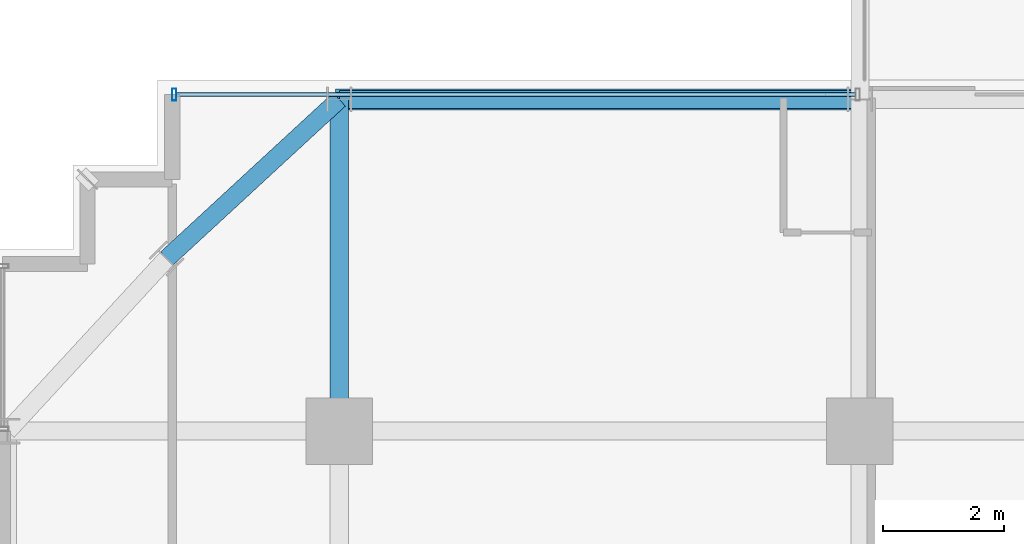
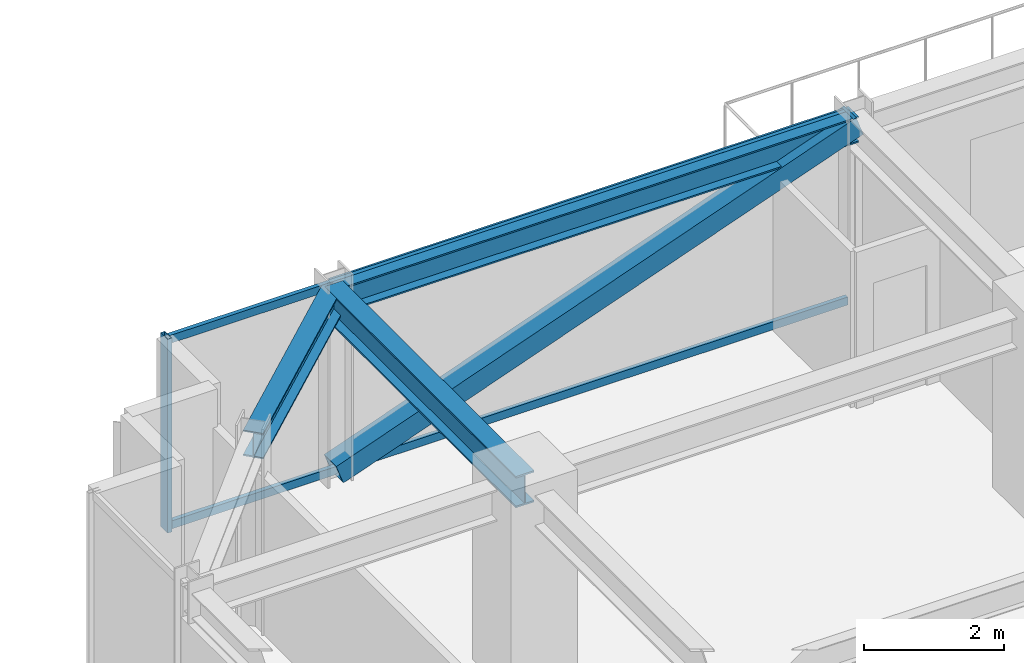
# One storey, part 24 of 43: 4 members, 3 beams, 1 element without a shape of its own.
"""IFC4 building model written with IfcOpenShell, lengths in metres."""

import ifcopenshell
import ifcopenshell.guid

model = None  # the IFC model being written
_history = None  # IfcOwnerHistory: only IFC2X3 demands one
_inside = {}  # id of a spatial element -> (the spatial element, [elements in it])
_under = {}  # id of a project, library or spatial element -> (it, [spatial elements below it])
_declared = {}  # id of a project -> (the project, [libraries it declares])
_typed = {}  # id of a type object -> (the type object, [elements of that type])
_made_of = {}  # id of a material, layer set ... -> (it, [elements and type objects made of it])


def new_model(schema):
    """Start an empty IFC model of exactly this schema.

    Asked for "IFC4X3", IfcOpenShell would pick the latest addendum, in which some entities
    have other attributes; the version numbers below select the first issue.
    IFC2X3 requires an IfcOwnerHistory on every rooted entity: one is made here for all.
    """
    global model, _history
    if schema == "IFC4X3":
        model = ifcopenshell.file(schema_version=(4, 3, 0, 0))
    else:
        model = ifcopenshell.file(schema=schema)
    _inside.clear()
    _under.clear()
    _declared.clear()
    _typed.clear()
    _made_of.clear()
    _history = None
    if model.schema == "IFC2X3":
        org = make("IfcOrganization", Name="unknown")
        user = make(
            "IfcPersonAndOrganization",
            ThePerson=make("IfcPerson", FamilyName="unknown"),
            TheOrganization=org,
        )
        app = make(
            "IfcApplication",
            ApplicationDeveloper=org,
            Version="unknown",
            ApplicationFullName="unknown",
            ApplicationIdentifier="unknown",
        )
        _history = make(
            "IfcOwnerHistory",
            OwningUser=user,
            OwningApplication=app,
            ChangeAction="ADDED",
            CreationDate=0,
        )
    return model


def make(cls, **values):
    """One entity of the class cls with the attributes given. An attribute that is None is left unset."""
    return model.create_entity(
        cls, **{name: value for name, value in values.items() if value is not None}
    )


def rooted(cls, **values):
    """An entity with a GlobalId (a new one), such as an element, a storey or a relation."""
    return make(cls, GlobalId=ifcopenshell.guid.new(), OwnerHistory=_history, **values)


def si_unit(unit_type, name, prefix=None):
    """IfcSIUnit, for example si_unit("LENGTHUNIT", "METRE", prefix="MILLI")."""
    return make("IfcSIUnit", UnitType=unit_type, Prefix=prefix, Name=name)


def assignment(units):
    """IfcUnitAssignment: the units of a project."""
    return None if units is None else make("IfcUnitAssignment", Units=units)


def point(xyz):
    """IfcCartesianPoint."""
    return None if xyz is None else make("IfcCartesianPoint", Coordinates=xyz)


def direction(xyz):
    """IfcDirection."""
    return None if xyz is None else make("IfcDirection", DirectionRatios=xyz)


def frame(location, z_axis=None, x_axis=None):
    """IfcAxis2Placement3D, a coordinate frame: its origin and axes. An axis left out is left unset."""
    return make(
        "IfcAxis2Placement3D",
        Location=point(location),
        Axis=direction(z_axis),
        RefDirection=direction(x_axis),
    )


def frame_2d(location, x_axis=None):
    """IfcAxis2Placement2D, a coordinate frame in the plane: its origin and x axis."""
    return make(
        "IfcAxis2Placement2D", Location=point(location), RefDirection=direction(x_axis)
    )


def origin():
    """The frame at (0, 0, 0) with its axes left unset."""
    return frame((0.0, 0.0, 0.0))


def origin_2d():
    """The frame at (0, 0) in the plane with its x axis left unset."""
    return frame_2d((0.0, 0.0))


def place(relative_to, where):
    """IfcLocalPlacement: puts the frame where relative to a parent placement (None: the world)."""
    return make(
        "IfcLocalPlacement", PlacementRelTo=relative_to, RelativePlacement=where
    )


def context(
    kind, dimensions, precision=None, world=None, true_north=None, identifier=None
):
    """IfcGeometricRepresentationContext, for example the 3D "Model" context."""
    return make(
        "IfcGeometricRepresentationContext",
        ContextIdentifier=identifier,
        ContextType=kind,
        CoordinateSpaceDimension=dimensions,
        Precision=precision,
        WorldCoordinateSystem=world,
        TrueNorth=true_north,
    )


def subcontext(parent, identifier, kind, view, scale=None):
    """IfcGeometricRepresentationSubContext, for example "Body" below "Model"."""
    return make(
        "IfcGeometricRepresentationSubContext",
        ContextIdentifier=identifier,
        ContextType=kind,
        ParentContext=parent,
        TargetScale=scale,
        TargetView=view,
    )


def project(units=None, contexts=None):
    """IfcProject with its units and contexts."""
    return rooted(
        "IfcProject",
        Name="project",
        RepresentationContexts=contexts,
        UnitsInContext=assignment(units),
    )


def spatial(cls, under=None, at=None, **own):
    """A site, building, storey or space (cls), placed at a placement, below another one or the project."""
    s = rooted(cls, ObjectPlacement=at, **own)
    if under is not None:
        _under.setdefault(under.id(), (under, []))[1].append(s)
    return s


def profile(cls, at=None, kind="AREA", **sizes):
    """A parametric profile (cls). Its sizes go by their IFC names, for example OverallWidth=200.0."""
    return make(cls, ProfileType=kind, Position=at, **sizes)


def hollow_rectangle(**sizes):
    """IfcRectangleHollowProfileDef."""
    return profile("IfcRectangleHollowProfileDef", **sizes)


def i_section(**sizes):
    """IfcIShapeProfileDef."""
    return profile("IfcIShapeProfileDef", **sizes)


def extrude(swept, where, along, depth):
    """IfcExtrudedAreaSolid: the profile swept, set in the frame where, extruded along a direction by depth."""
    return make(
        "IfcExtrudedAreaSolid",
        SweptArea=swept,
        Position=where,
        ExtrudedDirection=direction(along),
        Depth=depth,
    )


def shape(context_of_items, identifier, shape_type, items):
    """IfcShapeRepresentation: the items that make up one representation, for example the "Body"."""
    return make(
        "IfcShapeRepresentation",
        ContextOfItems=context_of_items,
        RepresentationIdentifier=identifier,
        RepresentationType=shape_type,
        Items=items,
    )


def source(mapping_origin, context_of_items, identifier, shape_type, items):
    """IfcRepresentationMap: a shape defined once, which mapped items show again and again."""
    return make(
        "IfcRepresentationMap",
        MappingOrigin=mapping_origin,
        MappedRepresentation=shape(context_of_items, identifier, shape_type, items),
    )


def transform(
    local_origin,
    x_axis=None,
    y_axis=None,
    z_axis=None,
    scale=None,
    scale2=None,
    scale3=None,
    uniform=True,
):
    """IfcCartesianTransformationOperator3D, or its non-uniform kind. x_axis, y_axis, z_axis: its Axis1, 2, 3."""
    if uniform:
        return make(
            "IfcCartesianTransformationOperator3D",
            Axis1=direction(x_axis),
            Axis2=direction(y_axis),
            LocalOrigin=point(local_origin),
            Scale=scale,
            Axis3=direction(z_axis),
        )
    return make(
        "IfcCartesianTransformationOperator3DnonUniform",
        Axis1=direction(x_axis),
        Axis2=direction(y_axis),
        LocalOrigin=point(local_origin),
        Scale=scale,
        Axis3=direction(z_axis),
        Scale2=scale2,
        Scale3=scale3,
    )


def mapped(mapping_source, mapping_target):
    """IfcMappedItem: shows the shape of a source again, moved by a transform."""
    return make(
        "IfcMappedItem", MappingSource=mapping_source, MappingTarget=mapping_target
    )


def material(Name=None, Category=None):
    """IfcMaterial."""
    return make("IfcMaterial", Name=Name, Category=Category)


def material_profile(
    of_material, cross_section, Name=None, Category=None, Priority=None
):
    """IfcMaterialProfile: a cross section and its material."""
    return make(
        "IfcMaterialProfile",
        Name=Name,
        Material=of_material,
        Profile=cross_section,
        Priority=Priority,
        Category=Category,
    )


def profile_set(profiles, Name=None, composite=None):
    """IfcMaterialProfileSet."""
    return make(
        "IfcMaterialProfileSet",
        Name=Name,
        MaterialProfiles=profiles,
        CompositeProfile=composite,
    )


def made_of(thing, what):
    """Note that an element or type object is made of a material, layer set ...; save() writes the relation."""
    if what is not None:
        _made_of.setdefault(what.id(), (what, []))[1].append(thing)
    return thing


def type_object(cls, material=None, **own):
    """A type object (cls), such as IfcWallType, which elements share."""
    return made_of(rooted(cls, **own), material)


def element(
    cls,
    number,
    at=None,
    inside=None,
    cuts=None,
    type_object=None,
    material=None,
    context=None,
    identifier="Body",
    shape_type=None,
    held_by="IfcProductDefinitionShape",
    body=None,
    shapes=None,
    **own,
):
    """One element of the class cls, such as IfcWall. Its Tag is "e" and its number.

    at: its placement. inside: the storey or other place that contains it. cuts: it is an
    opening in that element (IfcRelVoidsElement). A single representation is given by context,
    identifier, shape_type and body (its items); several are given by shapes. held_by: the class
    of the entity that holds the representations. save() writes the other relations.
    """
    e = rooted(cls, Tag="e%d" % number, ObjectPlacement=at, **own)
    if body is not None:
        shapes = [shape(context, identifier, shape_type, body)]
    if shapes is not None:
        e.Representation = make(held_by, Representations=shapes)
    if inside is not None:
        _inside.setdefault(inside.id(), (inside, []))[1].append(e)
    if cuts is not None:
        rooted(
            "IfcRelVoidsElement", RelatingBuildingElement=cuts, RelatedOpeningElement=e
        )
    if type_object is not None:
        _typed.setdefault(type_object.id(), (type_object, []))[1].append(e)
    return made_of(e, material)


def aggregate(whole, parts):
    """IfcRelAggregates: a whole, such as a stair, and the parts it consists of."""
    return rooted("IfcRelAggregates", RelatingObject=whole, RelatedObjects=parts)


def save(model, path):
    """Write the relations noted so far, then the file.

    IfcRelAggregates (storeys below a building ...), IfcRelContainedInSpatialStructure (elements
    in a storey), IfcRelDefinesByType, IfcRelAssociatesMaterial and IfcRelDeclares: one each for
    every whole, place, type object, material and project.
    """
    for whole, parts in _under.values():
        aggregate(whole, parts)
    for where, things in _inside.values():
        rooted(
            "IfcRelContainedInSpatialStructure",
            RelatedElements=things,
            RelatingStructure=where,
        )
    for kind, things in _typed.values():
        rooted("IfcRelDefinesByType", RelatedObjects=things, RelatingType=kind)
    for what, things in _made_of.values():
        rooted("IfcRelAssociatesMaterial", RelatedObjects=things, RelatingMaterial=what)
    for by, libraries in _declared.values():
        rooted("IfcRelDeclares", RelatingContext=by, RelatedDefinitions=libraries)
    model.write(path)


model = new_model("IFC4")

# Units and contexts
model_context = context("Model", 3, precision=1e-05, world=origin(), true_north=direction((0.0, 1.0)))
body_context = subcontext(model_context, "Body", "Model", "MODEL_VIEW")
ifc_project = project(units=[si_unit("LENGTHUNIT", "METRE"), si_unit("AREAUNIT", "SQUARE_METRE"), si_unit("VOLUMEUNIT", "CUBIC_METRE"), si_unit("PLANEANGLEUNIT", "RADIAN"), si_unit("MASSUNIT", "GRAM", prefix="KILO")], contexts=[model_context])

# Site, building, storey
site_placement = place(None, origin())
site = spatial("IfcSite", under=ifc_project, at=site_placement, CompositionType="ELEMENT")
building_placement = place(site_placement, origin())
building = spatial("IfcBuilding", under=site, at=building_placement, Name="Nahalor Promenade Grand Hotel", CompositionType="ELEMENT")
storey_placement = place(building_placement, frame((0.0, 0.0, 181.85009765625)))
storey = spatial("IfcBuildingStorey", under=building, at=storey_placement, Name="L46", CompositionType="ELEMENT", Elevation=181.85009765625)

# Beams
ifc_material_1 = material(Name="Steel S355JR", Category="steel")
ifc_material_profile_1 = material_profile(ifc_material_1, i_section(OverallWidth=0.3, OverallDepth=0.55, WebThickness=0.015, FlangeThickness=0.029, at=origin_2d()), Name="HEB 550")
ifc_profile_set_1 = profile_set([ifc_material_profile_1], Name="Steel S355JR")
beam_type_1 = type_object("IfcBeamType", Name="Beam-Girder-HEB550", PredefinedType="BEAM", material=ifc_profile_set_1)
shared_shape_1 = source(origin(), body_context, "Body", "SweptSolid", [
    extrude(i_section(OverallWidth=0.3, OverallDepth=0.55, WebThickness=0.015, FlangeThickness=0.029, at=origin_2d()), origin(), (0.0, 0.0, 1.0), 5.47998046875),
])
beam_1_placement = place(storey_placement, frame((-17.0, 17.0, 3.114990234375), z_axis=(0.0, 1.0, 0.0), x_axis=(-1.0, 0.0, 0.0)))
element("IfcBeam", 1, at=beam_1_placement, inside=storey, type_object=beam_type_1, Name="BM-L46-GY-0-4", PredefinedType="BEAM", context=body_context, shape_type="MappedRepresentation", body=[
    mapped(shared_shape_1, transform((0.0, 0.0, 0.0), scale=1.0)),
])
ifc_material_profile_2 = material_profile(ifc_material_1, i_section(OverallWidth=0.3, OverallDepth=0.45, WebThickness=0.014, FlangeThickness=0.026, at=origin_2d()), Name="HEB 450")
ifc_profile_set_2 = profile_set([ifc_material_profile_2], Name="Steel S355JR")
beam_type_2 = type_object("IfcBeamType", Name="Beam-Spandrel-HEB450", PredefinedType="SPANDREL", material=ifc_profile_set_2)
shared_shape_2 = source(origin(), body_context, "Body", "SweptSolid", [
    extrude(i_section(OverallWidth=0.3, OverallDepth=0.45, WebThickness=0.014, FlangeThickness=0.026, at=origin_2d()), origin(), (0.0, 0.0, 1.0), 8.60009765625),
])
beam_2_placement = place(storey_placement, frame((-17.0, 22.47998046875, 3.164794921875), z_axis=(1.0, 0.0, 0.0), x_axis=(0.0, 1.0, 0.0)))
element("IfcBeam", 2, at=beam_2_placement, inside=storey, type_object=beam_type_2, Name="BM-L46-SP-N-0", PredefinedType="SPANDREL", context=body_context, shape_type="MappedRepresentation", body=[
    mapped(shared_shape_2, transform((0.0, 0.0, 0.0), scale=1.0)),
])
shared_shape_3 = source(origin(), body_context, "Body", "SweptSolid", [
    extrude(i_section(OverallWidth=0.3, OverallDepth=0.45, WebThickness=0.014, FlangeThickness=0.026, at=origin_2d()), origin(), (0.0, 0.0, 1.0), 3.878173828125),
])
beam_3_placement = place(storey_placement, frame((-17.0, 22.47998046875, 3.164794921875), z_axis=(-0.73492893846, -0.678144125843, 0.0), x_axis=(0.678144125843, -0.73492893846, 0.0)))
element("IfcBeam", 3, at=beam_3_placement, inside=storey, type_object=beam_type_2, Name="BM-L46-SPC-NW-1", PredefinedType="SPANDREL", context=body_context, shape_type="MappedRepresentation", body=[
    mapped(shared_shape_3, transform((0.0, 0.0, 0.0), scale=1.0)),
])

# Member
ifc_material_profile_3 = material_profile(ifc_material_1, hollow_rectangle(XDim=0.35, YDim=0.35, WallThickness=0.02, at=origin_2d()), Name="SHS 350x350x20")
ifc_profile_set_3 = profile_set([ifc_material_profile_3], Name="Steel S355JR")
member_type_1 = type_object("IfcMemberType", Name="Mem-VoidBrace-SHS350", PredefinedType="BRACE", material=ifc_profile_set_3)
shared_shape_4 = source(origin(), body_context, "Body", "SweptSolid", [
    extrude(hollow_rectangle(XDim=0.35, YDim=0.35, WallThickness=0.02, at=origin_2d()), origin(), (0.0, 0.0, 1.0), 9.138427734375),
])
member_1_placement = place(storey_placement, frame((-17.0, 22.47998046875, 0.14990234375), z_axis=(0.941094643271, 0.0, 0.338143272012), x_axis=(0.0, 1.0, 0.0)))
element("IfcMember", 4, at=member_1_placement, inside=storey, type_object=member_type_1, Name="EXO-L46-N-0", PredefinedType="BRACE", context=body_context, shape_type="MappedRepresentation", body=[
    mapped(shared_shape_4, transform((0.0, 0.0, 0.0), scale=1.0)),
])

# Curtain wall, members
ifc_material_2 = material(Name="Anodised Bronze Aluminium EN AW-6063 T6", Category="aluminium")
curtain_wall_type = type_object("IfcCurtainWallType", Name="CW3 Elliptical-Void Collar Unitised Curtain Wall", PredefinedType="USERDEFINED", material=ifc_material_2)
curtain_wall_placement = place(storey_placement, origin())
curtain_wall = element("IfcCurtainWall", 5, at=curtain_wall_placement, inside=storey, type_object=curtain_wall_type, Name="L46 Curtain Wall CW-L46-N-1", ObjectType="UNITISED_CURTAIN_WALL", PredefinedType="USERDEFINED")
ifc_material_profile_4 = material_profile(ifc_material_2, hollow_rectangle(XDim=0.07, YDim=0.14, WallThickness=0.004, at=origin_2d()), Name="CWT 70x140x4")
ifc_profile_set_4 = profile_set([ifc_material_profile_4], Name="Anodised Bronze Aluminium EN AW-6063 T6")
member_type_2 = type_object("IfcMemberType", Name="CWT3 Void Collar Transom 70x140", PredefinedType="USERDEFINED", material=ifc_profile_set_4)
shared_shape_5 = source(origin(), body_context, "Body", "SweptSolid", [
    extrude(hollow_rectangle(XDim=0.07, YDim=0.14, WallThickness=0.004, at=origin_2d()), origin(), (0.0, 0.0, 1.0), 11.219970703125),
])
member_2_placement = place(storey_placement, frame((-19.68994140625, 22.56005859375, 0.06982421875), z_axis=(1.0, 0.0, 0.0), x_axis=(0.0, 1.0, 0.0)))
member_2 = element("IfcMember", 6, at=member_2_placement, type_object=member_type_2, Name="CW-L46-N-1 Transom 0-0", ObjectType="TRANSOM", PredefinedType="USERDEFINED", context=body_context, shape_type="MappedRepresentation", body=[
    mapped(shared_shape_5, transform((0.0, 0.0, 0.0), scale=1.0)),
])
member_3_placement = place(storey_placement, frame((-19.68994140625, 22.56005859375, 3.31982421875), z_axis=(1.0, 0.0, 0.0), x_axis=(0.0, 1.0, 0.0)))
member_3 = element("IfcMember", 7, at=member_3_placement, type_object=member_type_2, Name="CW-L46-N-1 Transom 0-1", ObjectType="TRANSOM", PredefinedType="USERDEFINED", context=body_context, shape_type="MappedRepresentation", body=[
    mapped(shared_shape_5, transform((0.0, 0.0, 0.0), scale=1.0)),
])
ifc_material_profile_5 = material_profile(ifc_material_2, hollow_rectangle(XDim=0.07, YDim=0.2, WallThickness=0.005, at=origin_2d()), Name="CWM 70x200x5")
ifc_profile_set_5 = profile_set([ifc_material_profile_5], Name="Anodised Bronze Aluminium EN AW-6063 T6")
member_type_3 = type_object("IfcMemberType", Name="CWM3 Void Collar Mullion 70x200", PredefinedType="MULLION", material=ifc_profile_set_5)
shared_shape_6 = source(origin(), body_context, "Body", "SweptSolid", [
    extrude(hollow_rectangle(XDim=0.07, YDim=0.2, WallThickness=0.005, at=origin_2d()), origin(), (0.0, 0.0, 1.0), 3.389892578125),
])
member_4_placement = place(storey_placement, frame((-19.72509765625, 22.56005859375, 0.0), z_axis=(0.0, 0.0, 1.0), x_axis=(1.0, 0.0, 0.0)))
member_4 = element("IfcMember", 8, at=member_4_placement, type_object=member_type_3, Name="CW-L46-N-1 Mullion 0", PredefinedType="MULLION", context=body_context, shape_type="MappedRepresentation", body=[
    mapped(shared_shape_6, transform((0.0, 0.0, 0.0), scale=1.0)),
])
aggregate(curtain_wall, [member_4, member_2, member_3])

save(model, "model.ifc")
